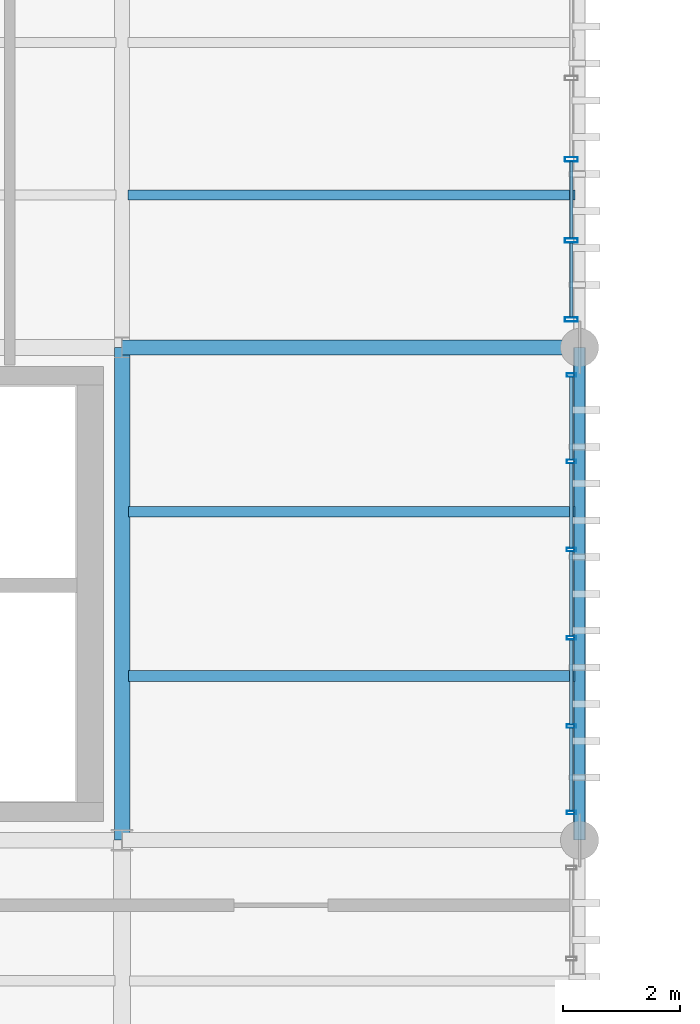
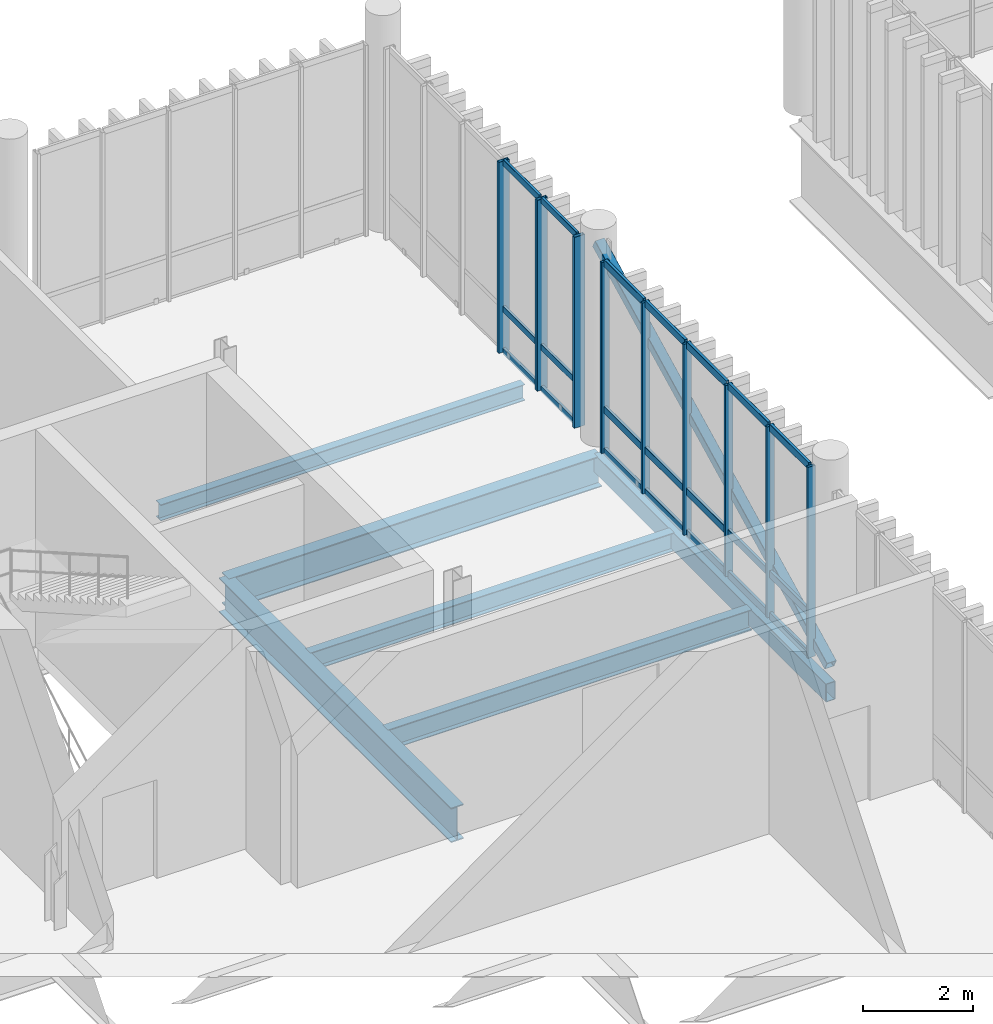
# One storey, part 24 of 86: 31 members, 6 beams, 2 elements without a shape of their own.
"""IFC4 building model written with IfcOpenShell, lengths in metres."""

import ifcopenshell
import ifcopenshell.guid

model = None  # the IFC model being written
_history = None  # IfcOwnerHistory: only IFC2X3 demands one
_inside = {}  # id of a spatial element -> (the spatial element, [elements in it])
_under = {}  # id of a project, library or spatial element -> (it, [spatial elements below it])
_declared = {}  # id of a project -> (the project, [libraries it declares])
_typed = {}  # id of a type object -> (the type object, [elements of that type])
_made_of = {}  # id of a material, layer set ... -> (it, [elements and type objects made of it])


def new_model(schema):
    """Start an empty IFC model of exactly this schema.

    Asked for "IFC4X3", IfcOpenShell would pick the latest addendum, in which some entities
    have other attributes; the version numbers below select the first issue.
    IFC2X3 requires an IfcOwnerHistory on every rooted entity: one is made here for all.
    """
    global model, _history
    if schema == "IFC4X3":
        model = ifcopenshell.file(schema_version=(4, 3, 0, 0))
    else:
        model = ifcopenshell.file(schema=schema)
    _inside.clear()
    _under.clear()
    _declared.clear()
    _typed.clear()
    _made_of.clear()
    _history = None
    if model.schema == "IFC2X3":
        org = make("IfcOrganization", Name="unknown")
        user = make(
            "IfcPersonAndOrganization",
            ThePerson=make("IfcPerson", FamilyName="unknown"),
            TheOrganization=org,
        )
        app = make(
            "IfcApplication",
            ApplicationDeveloper=org,
            Version="unknown",
            ApplicationFullName="unknown",
            ApplicationIdentifier="unknown",
        )
        _history = make(
            "IfcOwnerHistory",
            OwningUser=user,
            OwningApplication=app,
            ChangeAction="ADDED",
            CreationDate=0,
        )
    return model


def make(cls, **values):
    """One entity of the class cls with the attributes given. An attribute that is None is left unset."""
    return model.create_entity(
        cls, **{name: value for name, value in values.items() if value is not None}
    )


def rooted(cls, **values):
    """An entity with a GlobalId (a new one), such as an element, a storey or a relation."""
    return make(cls, GlobalId=ifcopenshell.guid.new(), OwnerHistory=_history, **values)


def si_unit(unit_type, name, prefix=None):
    """IfcSIUnit, for example si_unit("LENGTHUNIT", "METRE", prefix="MILLI")."""
    return make("IfcSIUnit", UnitType=unit_type, Prefix=prefix, Name=name)


def assignment(units):
    """IfcUnitAssignment: the units of a project."""
    return None if units is None else make("IfcUnitAssignment", Units=units)


def point(xyz):
    """IfcCartesianPoint."""
    return None if xyz is None else make("IfcCartesianPoint", Coordinates=xyz)


def direction(xyz):
    """IfcDirection."""
    return None if xyz is None else make("IfcDirection", DirectionRatios=xyz)


def frame(location, z_axis=None, x_axis=None):
    """IfcAxis2Placement3D, a coordinate frame: its origin and axes. An axis left out is left unset."""
    return make(
        "IfcAxis2Placement3D",
        Location=point(location),
        Axis=direction(z_axis),
        RefDirection=direction(x_axis),
    )


def frame_2d(location, x_axis=None):
    """IfcAxis2Placement2D, a coordinate frame in the plane: its origin and x axis."""
    return make(
        "IfcAxis2Placement2D", Location=point(location), RefDirection=direction(x_axis)
    )


def origin_with_axes():
    """The frame at (0, 0, 0) with the z axis (0, 0, 1) and the x axis (1, 0, 0) written out."""
    return frame((0.0, 0.0, 0.0), z_axis=(0.0, 0.0, 1.0), x_axis=(1.0, 0.0, 0.0))


def origin_2d_with_axis():
    """The frame at (0, 0) in the plane with the x axis (1, 0) written out."""
    return frame_2d((0.0, 0.0), x_axis=(1.0, 0.0))


def place(relative_to, where):
    """IfcLocalPlacement: puts the frame where relative to a parent placement (None: the world)."""
    return make(
        "IfcLocalPlacement", PlacementRelTo=relative_to, RelativePlacement=where
    )


def context(
    kind, dimensions, precision=None, world=None, true_north=None, identifier=None
):
    """IfcGeometricRepresentationContext, for example the 3D "Model" context."""
    return make(
        "IfcGeometricRepresentationContext",
        ContextIdentifier=identifier,
        ContextType=kind,
        CoordinateSpaceDimension=dimensions,
        Precision=precision,
        WorldCoordinateSystem=world,
        TrueNorth=true_north,
    )


def subcontext(parent, identifier, kind, view, scale=None):
    """IfcGeometricRepresentationSubContext, for example "Body" below "Model"."""
    return make(
        "IfcGeometricRepresentationSubContext",
        ContextIdentifier=identifier,
        ContextType=kind,
        ParentContext=parent,
        TargetScale=scale,
        TargetView=view,
    )


def project(units=None, contexts=None):
    """IfcProject with its units and contexts."""
    return rooted(
        "IfcProject",
        Name="project",
        RepresentationContexts=contexts,
        UnitsInContext=assignment(units),
    )


def spatial(cls, under=None, at=None, **own):
    """A site, building, storey or space (cls), placed at a placement, below another one or the project."""
    s = rooted(cls, ObjectPlacement=at, **own)
    if under is not None:
        _under.setdefault(under.id(), (under, []))[1].append(s)
    return s


def profile(cls, at=None, kind="AREA", **sizes):
    """A parametric profile (cls). Its sizes go by their IFC names, for example OverallWidth=200.0."""
    return make(cls, ProfileType=kind, Position=at, **sizes)


def hollow_rectangle(**sizes):
    """IfcRectangleHollowProfileDef."""
    return profile("IfcRectangleHollowProfileDef", **sizes)


def i_section(**sizes):
    """IfcIShapeProfileDef."""
    return profile("IfcIShapeProfileDef", **sizes)


def extrude(swept, where, along, depth):
    """IfcExtrudedAreaSolid: the profile swept, set in the frame where, extruded along a direction by depth."""
    return make(
        "IfcExtrudedAreaSolid",
        SweptArea=swept,
        Position=where,
        ExtrudedDirection=direction(along),
        Depth=depth,
    )


def shape(context_of_items, identifier, shape_type, items):
    """IfcShapeRepresentation: the items that make up one representation, for example the "Body"."""
    return make(
        "IfcShapeRepresentation",
        ContextOfItems=context_of_items,
        RepresentationIdentifier=identifier,
        RepresentationType=shape_type,
        Items=items,
    )


def material(Name=None, Category=None):
    """IfcMaterial."""
    return make("IfcMaterial", Name=Name, Category=Category)


def material_profile(
    of_material, cross_section, Name=None, Category=None, Priority=None
):
    """IfcMaterialProfile: a cross section and its material."""
    return make(
        "IfcMaterialProfile",
        Name=Name,
        Material=of_material,
        Profile=cross_section,
        Priority=Priority,
        Category=Category,
    )


def profile_set(profiles, Name=None, composite=None):
    """IfcMaterialProfileSet."""
    return make(
        "IfcMaterialProfileSet",
        Name=Name,
        MaterialProfiles=profiles,
        CompositeProfile=composite,
    )


def made_of(thing, what):
    """Note that an element or type object is made of a material, layer set ...; save() writes the relation."""
    if what is not None:
        _made_of.setdefault(what.id(), (what, []))[1].append(thing)
    return thing


def type_object(cls, material=None, **own):
    """A type object (cls), such as IfcWallType, which elements share."""
    return made_of(rooted(cls, **own), material)


def element(
    cls,
    number,
    at=None,
    inside=None,
    cuts=None,
    type_object=None,
    material=None,
    context=None,
    identifier="Body",
    shape_type=None,
    held_by="IfcProductDefinitionShape",
    body=None,
    shapes=None,
    **own,
):
    """One element of the class cls, such as IfcWall. Its Tag is "e" and its number.

    at: its placement. inside: the storey or other place that contains it. cuts: it is an
    opening in that element (IfcRelVoidsElement). A single representation is given by context,
    identifier, shape_type and body (its items); several are given by shapes. held_by: the class
    of the entity that holds the representations. save() writes the other relations.
    """
    e = rooted(cls, Tag="e%d" % number, ObjectPlacement=at, **own)
    if body is not None:
        shapes = [shape(context, identifier, shape_type, body)]
    if shapes is not None:
        e.Representation = make(held_by, Representations=shapes)
    if inside is not None:
        _inside.setdefault(inside.id(), (inside, []))[1].append(e)
    if cuts is not None:
        rooted(
            "IfcRelVoidsElement", RelatingBuildingElement=cuts, RelatedOpeningElement=e
        )
    if type_object is not None:
        _typed.setdefault(type_object.id(), (type_object, []))[1].append(e)
    return made_of(e, material)


def aggregate(whole, parts):
    """IfcRelAggregates: a whole, such as a stair, and the parts it consists of."""
    return rooted("IfcRelAggregates", RelatingObject=whole, RelatedObjects=parts)


def save(model, path):
    """Write the relations noted so far, then the file.

    IfcRelAggregates (storeys below a building ...), IfcRelContainedInSpatialStructure (elements
    in a storey), IfcRelDefinesByType, IfcRelAssociatesMaterial and IfcRelDeclares: one each for
    every whole, place, type object, material and project.
    """
    for whole, parts in _under.values():
        aggregate(whole, parts)
    for where, things in _inside.values():
        rooted(
            "IfcRelContainedInSpatialStructure",
            RelatedElements=things,
            RelatingStructure=where,
        )
    for kind, things in _typed.values():
        rooted("IfcRelDefinesByType", RelatedObjects=things, RelatingType=kind)
    for what, things in _made_of.values():
        rooted("IfcRelAssociatesMaterial", RelatedObjects=things, RelatingMaterial=what)
    for by, libraries in _declared.values():
        rooted("IfcRelDeclares", RelatingContext=by, RelatedDefinitions=libraries)
    model.write(path)


model = new_model("IFC4")

# Units and contexts
model_context = context("Model", 3, precision=1e-05, world=origin_with_axes(), true_north=direction((0.0, 1.0)))
body_context = subcontext(model_context, "Body", "Model", "MODEL_VIEW")
ifc_project = project(units=[si_unit("LENGTHUNIT", "METRE"), si_unit("AREAUNIT", "SQUARE_METRE"), si_unit("VOLUMEUNIT", "CUBIC_METRE"), si_unit("PLANEANGLEUNIT", "RADIAN"), si_unit("MASSUNIT", "GRAM", prefix="KILO"), si_unit("THERMODYNAMICTEMPERATUREUNIT", "KELVIN")], contexts=[model_context])

# Site, building, storey
site_placement = place(None, origin_with_axes())
site = spatial("IfcSite", under=ifc_project, at=site_placement, CompositionType="ELEMENT")
building_placement = place(site_placement, origin_with_axes())
building = spatial("IfcBuilding", under=site, at=building_placement, Name="Montbau Bow Law Courts", CompositionType="ELEMENT")
storey_placement = place(building_placement, frame((0.0, 0.0, 29.7), z_axis=(0.0, 0.0, 1.0), x_axis=(1.0, 0.0, 0.0)))
storey = spatial("IfcBuildingStorey", under=building, at=storey_placement, Name="L06", CompositionType="ELEMENT", Elevation=29.7)

# Beams
ifc_material_1 = material(Name="Steel CSA G40.21 Grade 350W (350 MPa)", Category="steel")
ifc_material_profile_1 = material_profile(ifc_material_1, i_section(OverallWidth=0.267, OverallDepth=0.766, WebThickness=0.0149, FlangeThickness=0.0236, at=origin_2d_with_axis()), Name="W760X185", Category="Main", Priority=0)
ifc_profile_set_1 = profile_set([ifc_material_profile_1], Name="Steel CSA G40.21 Grade 350W (350 MPa)")
beam_type_1 = type_object("IfcBeamType", Name="B-FLR-03", PredefinedType="BEAM", material=ifc_profile_set_1)
beam_1_placement = place(None, frame((39.0, 46.2, 28.977), z_axis=(0.0, 1.0, 0.0), x_axis=(-1.0, 0.0, 0.0)))
element("IfcBeam", 1, at=beam_1_placement, inside=storey, type_object=beam_type_1, Name="BM-L06-S0707:bm2_0710", PredefinedType="BEAM", context=body_context, shape_type="SweptSolid", body=[
    extrude(i_section(OverallWidth=0.267, OverallDepth=0.766, WebThickness=0.0149, FlangeThickness=0.0236, at=origin_2d_with_axis()), origin_with_axes(), (0.0, 0.0, 1.0), 8.4),
])
ifc_material_profile_2 = material_profile(ifc_material_1, i_section(OverallWidth=0.254, OverallDepth=0.688, WebThickness=0.0131, FlangeThickness=0.0211, at=origin_2d_with_axis()), Name="W690X152", Category="Main", Priority=0)
ifc_profile_set_2 = profile_set([ifc_material_profile_2], Name="Steel CSA G40.21 Grade 350W (350 MPa)")
beam_type_2 = type_object("IfcBeamType", Name="B-FLR-04", PredefinedType="BEAM", material=ifc_profile_set_2)
beam_2_placement = place(None, frame((39.0, 54.6, 29.016), z_axis=(1.0, 0.0, 0.0), x_axis=(0.0, 1.0, 0.0)))
element("IfcBeam", 2, at=beam_2_placement, inside=storey, type_object=beam_type_2, Name="BM-L06-S0685:bm2_0688", PredefinedType="BEAM", context=body_context, shape_type="SweptSolid", body=[
    extrude(i_section(OverallWidth=0.254, OverallDepth=0.688, WebThickness=0.0131, FlangeThickness=0.0211, at=origin_2d_with_axis()), origin_with_axes(), (0.0, 0.0, 1.0), 7.8),
])
ifc_material_profile_3 = material_profile(ifc_material_1, i_section(OverallWidth=0.191, OverallDepth=0.46, WebThickness=0.0099, FlangeThickness=0.016, at=origin_2d_with_axis()), Name="W460X82", Category="Main", Priority=0)
ifc_profile_set_3 = profile_set([ifc_material_profile_3], Name="Steel CSA G40.21 Grade 350W (350 MPa)")
beam_type_3 = type_object("IfcBeamType", Name="B-JST-01", PredefinedType="JOIST", material=ifc_profile_set_3)
beam_3_placement = place(None, frame((39.109, 49.0, 29.13), z_axis=(1.0, 0.0, 0.0), x_axis=(0.0, 1.0, 0.0)))
element("IfcBeam", 3, at=beam_3_placement, inside=storey, type_object=beam_type_3, Name="JST-L06-S0356:jst2_0356", PredefinedType="JOIST", context=body_context, shape_type="SweptSolid", body=[
    extrude(i_section(OverallWidth=0.191, OverallDepth=0.46, WebThickness=0.0099, FlangeThickness=0.016, at=origin_2d_with_axis()), origin_with_axes(), (0.0, 0.0, 1.0), 7.611),
])
ifc_material_profile_4 = material_profile(ifc_material_1, i_section(OverallWidth=0.179, OverallDepth=0.41, WebThickness=0.0088, FlangeThickness=0.0144, at=origin_2d_with_axis()), Name="W410X67", Category="Main", Priority=0)
ifc_profile_set_4 = profile_set([ifc_material_profile_4], Name="Steel CSA G40.21 Grade 350W (350 MPa)")
beam_type_4 = type_object("IfcBeamType", Name="B-JST-02", PredefinedType="JOIST", material=ifc_profile_set_4)
beam_4_placement = place(None, frame((39.109, 51.8, 29.155), z_axis=(1.0, 0.0, 0.0), x_axis=(0.0, 1.0, 0.0)))
element("IfcBeam", 4, at=beam_4_placement, inside=storey, type_object=beam_type_4, Name="JST-L06-S0357:jst2_0357", PredefinedType="JOIST", context=body_context, shape_type="SweptSolid", body=[
    extrude(i_section(OverallWidth=0.179, OverallDepth=0.41, WebThickness=0.0088, FlangeThickness=0.0144, at=origin_2d_with_axis()), origin_with_axes(), (0.0, 0.0, 1.0), 7.611),
])
ifc_material_profile_5 = material_profile(ifc_material_1, i_section(OverallWidth=0.172, OverallDepth=0.358, WebThickness=0.0079, FlangeThickness=0.0131, at=origin_2d_with_axis()), Name="W360X57", Category="Main", Priority=0)
ifc_profile_set_5 = profile_set([ifc_material_profile_5], Name="Steel CSA G40.21 Grade 350W (350 MPa)")
beam_type_5 = type_object("IfcBeamType", Name="B-JST-03", PredefinedType="JOIST", material=ifc_profile_set_5)
beam_5_placement = place(None, frame((39.103, 57.2, 29.181), z_axis=(1.0, 0.0, 0.0), x_axis=(0.0, 1.0, 0.0)))
element("IfcBeam", 5, at=beam_5_placement, inside=storey, type_object=beam_type_5, Name="JST-L06-S0358:jst2_0358", PredefinedType="JOIST", context=body_context, shape_type="SweptSolid", body=[
    extrude(i_section(OverallWidth=0.172, OverallDepth=0.358, WebThickness=0.0079, FlangeThickness=0.0131, at=origin_2d_with_axis()), origin_with_axes(), (0.0, 0.0, 1.0), 7.617),
])
ifc_material_2 = material(Name="Steel CSA G40.21 Grade 350WT (350 MPa)", Category="steel")
ifc_material_profile_6 = material_profile(ifc_material_2, hollow_rectangle(XDim=0.203, YDim=0.406, WallThickness=0.0127, InnerFilletRadius=0.0254, OuterFilletRadius=0.0127, at=origin_2d_with_axis()), Name="HSS406X203X13", Category="Main", Priority=0)
ifc_profile_set_6 = profile_set([ifc_material_profile_6], Name="Steel CSA G40.21 Grade 350WT (350 MPa)")
beam_type_6 = type_object("IfcBeamType", Name="B-SPN-01", PredefinedType="SPANDREL", material=ifc_profile_set_6)
beam_6_placement = place(None, frame((46.8, 46.2, 29.157), z_axis=(0.0, 1.0, 0.0), x_axis=(-1.0, 0.0, 0.0)))
element("IfcBeam", 6, at=beam_6_placement, inside=storey, type_object=beam_type_6, Name="SPN-L06-S0711:bm2_0714", PredefinedType="SPANDREL", context=body_context, shape_type="SweptSolid", body=[
    extrude(hollow_rectangle(XDim=0.203, YDim=0.406, WallThickness=0.0127, InnerFilletRadius=0.0254, OuterFilletRadius=0.0127, at=origin_2d_with_axis()), origin_with_axes(), (0.0, 0.0, 1.0), 8.4),
])

# Member
ifc_material_profile_7 = material_profile(ifc_material_1, hollow_rectangle(XDim=0.203, YDim=0.203, WallThickness=0.0111, InnerFilletRadius=0.0222, OuterFilletRadius=0.0111, at=origin_2d_with_axis()), Name="HSS203X203X11", Category="Main", Priority=0)
ifc_profile_set_7 = profile_set([ifc_material_profile_7], Name="Steel CSA G40.21 Grade 350W (350 MPa)")
member_type_1 = type_object("IfcMemberType", Name="M-BRC-02", PredefinedType="BRACE", material=ifc_profile_set_7)
member_1_placement = place(None, frame((46.8, 46.2, 29.75), z_axis=(0.0, 0.892420948, 0.451203781), x_axis=(-1.0, 0.0, 0.0)))
element("IfcMember", 7, at=member_1_placement, inside=storey, type_object=member_type_1, Name="Diagonal brace CBF-L06-049A", PredefinedType="BRACE", context=body_context, shape_type="SweptSolid", body=[
    extrude(hollow_rectangle(XDim=0.203, YDim=0.203, WallThickness=0.0111, InnerFilletRadius=0.0222, OuterFilletRadius=0.0111, at=origin_2d_with_axis()), origin_with_axes(), (0.0, 0.0, 1.0), 9.412598),
])

# Curtain wall, members
ifc_material_3 = material(Name="Thermally Broken Extruded Aluminium AA 6063-T6", Category="aluminium")
curtain_wall_type = type_object("IfcCurtainWallType", Name="CW-TRC-02", PredefinedType="NOTDEFINED", material=ifc_material_3)
curtain_wall_1_placement = place(None, frame((46.66, 55.04, 29.7), z_axis=(0.0, 0.0, 1.0), x_axis=(1.0, 0.0, 0.0)))
curtain_wall_1 = element("IfcCurtainWall", 8, at=curtain_wall_1_placement, inside=storey, type_object=curtain_wall_type, Name="CW-L06-111:cw_0111", PredefinedType="NOTDEFINED")
ifc_material_profile_8 = material_profile(ifc_material_3, hollow_rectangle(XDim=0.075, YDim=0.22, WallThickness=0.005, InnerFilletRadius=0.01, OuterFilletRadius=0.005, at=origin_2d_with_axis()), Name="CWM-220X75", Category="Main", Priority=0)
ifc_profile_set_8 = profile_set([ifc_material_profile_8], Name="Thermally Broken Extruded Aluminium AA 6063-T6")
member_type_2 = type_object("IfcMemberType", Name="M-MUL-01", PredefinedType="MULLION", material=ifc_profile_set_8)
member_2_placement = place(None, frame((46.66, 55.077, 29.7), z_axis=(0.0, 0.0, 1.0), x_axis=(0.0, 1.0, 0.0)))
member_2 = element("IfcMember", 9, at=member_2_placement, type_object=member_type_2, Name="CW-L06-111-M01:cw_0111_M01", PredefinedType="MULLION", context=body_context, shape_type="SweptSolid", body=[
    extrude(hollow_rectangle(XDim=0.075, YDim=0.22, WallThickness=0.005, InnerFilletRadius=0.01, OuterFilletRadius=0.005, at=origin_2d_with_axis()), origin_with_axes(), (0.0, 0.0, 1.0), 4.22),
])
member_3_placement = place(None, frame((46.66, 56.424, 29.7), z_axis=(0.0, 0.0, 1.0), x_axis=(0.0, 1.0, 0.0)))
member_3 = element("IfcMember", 10, at=member_3_placement, type_object=member_type_2, Name="CW-L06-111-M02:cw_0111_M02", PredefinedType="MULLION", context=body_context, shape_type="SweptSolid", body=[
    extrude(hollow_rectangle(XDim=0.075, YDim=0.22, WallThickness=0.005, InnerFilletRadius=0.01, OuterFilletRadius=0.005, at=origin_2d_with_axis()), origin_with_axes(), (0.0, 0.0, 1.0), 4.22),
])
member_4_placement = place(None, frame((46.66, 57.808, 29.7), z_axis=(0.0, 0.0, 1.0), x_axis=(0.0, 1.0, 0.0)))
member_4 = element("IfcMember", 11, at=member_4_placement, type_object=member_type_2, Name="CW-L06-111-M03:cw_0111_M03", PredefinedType="MULLION", context=body_context, shape_type="SweptSolid", body=[
    extrude(hollow_rectangle(XDim=0.075, YDim=0.22, WallThickness=0.005, InnerFilletRadius=0.01, OuterFilletRadius=0.005, at=origin_2d_with_axis()), origin_with_axes(), (0.0, 0.0, 1.0), 4.22),
])

curtain_wall_2_placement = place(None, frame((46.66, 46.64, 29.7), z_axis=(0.0, 0.0, 1.0), x_axis=(1.0, 0.0, 0.0)))
curtain_wall_2 = element("IfcCurtainWall", 12, at=curtain_wall_2_placement, inside=storey, type_object=curtain_wall_type, Name="CW-L06-110:cw_0110", PredefinedType="NOTDEFINED")
ifc_material_profile_9 = material_profile(ifc_material_3, hollow_rectangle(XDim=0.06, YDim=0.16, WallThickness=0.004, InnerFilletRadius=0.008, OuterFilletRadius=0.004, at=origin_2d_with_axis()), Name="CWM-160X60", Category="Main", Priority=0)
ifc_profile_set_9 = profile_set([ifc_material_profile_9], Name="Thermally Broken Extruded Aluminium AA 6063-T6")
member_type_3 = type_object("IfcMemberType", Name="M-MUL-03", PredefinedType="MULLION", material=ifc_profile_set_9)
member_5_placement = place(None, frame((46.66, 46.67, 29.7), z_axis=(0.0, 0.0, 1.0), x_axis=(0.0, 1.0, 0.0)))
member_5 = element("IfcMember", 13, at=member_5_placement, type_object=member_type_3, Name="CW-L06-110-M01:cw_0110_M01", PredefinedType="MULLION", context=body_context, shape_type="SweptSolid", body=[
    extrude(hollow_rectangle(XDim=0.06, YDim=0.16, WallThickness=0.004, InnerFilletRadius=0.008, OuterFilletRadius=0.004, at=origin_2d_with_axis()), origin_with_axes(), (0.0, 0.0, 1.0), 4.22),
])
member_6_placement = place(None, frame((46.66, 48.144, 29.7), z_axis=(0.0, 0.0, 1.0), x_axis=(0.0, 1.0, 0.0)))
member_6 = element("IfcMember", 14, at=member_6_placement, type_object=member_type_3, Name="CW-L06-110-M02:cw_0110_M02", PredefinedType="MULLION", context=body_context, shape_type="SweptSolid", body=[
    extrude(hollow_rectangle(XDim=0.06, YDim=0.16, WallThickness=0.004, InnerFilletRadius=0.008, OuterFilletRadius=0.004, at=origin_2d_with_axis()), origin_with_axes(), (0.0, 0.0, 1.0), 4.22),
])
member_7_placement = place(None, frame((46.66, 49.648, 29.7), z_axis=(0.0, 0.0, 1.0), x_axis=(0.0, 1.0, 0.0)))
member_7 = element("IfcMember", 15, at=member_7_placement, type_object=member_type_3, Name="CW-L06-110-M03:cw_0110_M03", PredefinedType="MULLION", context=body_context, shape_type="SweptSolid", body=[
    extrude(hollow_rectangle(XDim=0.06, YDim=0.16, WallThickness=0.004, InnerFilletRadius=0.008, OuterFilletRadius=0.004, at=origin_2d_with_axis()), origin_with_axes(), (0.0, 0.0, 1.0), 4.22),
])
member_8_placement = place(None, frame((46.66, 51.152, 29.7), z_axis=(0.0, 0.0, 1.0), x_axis=(0.0, 1.0, 0.0)))
member_8 = element("IfcMember", 16, at=member_8_placement, type_object=member_type_3, Name="CW-L06-110-M04:cw_0110_M04", PredefinedType="MULLION", context=body_context, shape_type="SweptSolid", body=[
    extrude(hollow_rectangle(XDim=0.06, YDim=0.16, WallThickness=0.004, InnerFilletRadius=0.008, OuterFilletRadius=0.004, at=origin_2d_with_axis()), origin_with_axes(), (0.0, 0.0, 1.0), 4.22),
])
member_9_placement = place(None, frame((46.66, 52.656, 29.7), z_axis=(0.0, 0.0, 1.0), x_axis=(0.0, 1.0, 0.0)))
member_9 = element("IfcMember", 17, at=member_9_placement, type_object=member_type_3, Name="CW-L06-110-M05:cw_0110_M05", PredefinedType="MULLION", context=body_context, shape_type="SweptSolid", body=[
    extrude(hollow_rectangle(XDim=0.06, YDim=0.16, WallThickness=0.004, InnerFilletRadius=0.008, OuterFilletRadius=0.004, at=origin_2d_with_axis()), origin_with_axes(), (0.0, 0.0, 1.0), 4.22),
])
member_10_placement = place(None, frame((46.66, 54.13, 29.7), z_axis=(0.0, 0.0, 1.0), x_axis=(0.0, 1.0, 0.0)))
member_10 = element("IfcMember", 18, at=member_10_placement, type_object=member_type_3, Name="CW-L06-110-M06:cw_0110_M06", PredefinedType="MULLION", context=body_context, shape_type="SweptSolid", body=[
    extrude(hollow_rectangle(XDim=0.06, YDim=0.16, WallThickness=0.004, InnerFilletRadius=0.008, OuterFilletRadius=0.004, at=origin_2d_with_axis()), origin_with_axes(), (0.0, 0.0, 1.0), 4.22),
])
ifc_material_profile_10 = material_profile(ifc_material_3, hollow_rectangle(XDim=0.06, YDim=0.16, WallThickness=0.004, InnerFilletRadius=0.008, OuterFilletRadius=0.004, at=origin_2d_with_axis()), Name="CWT-160X60", Category="Main", Priority=0)
ifc_profile_set_10 = profile_set([ifc_material_profile_10], Name="Thermally Broken Extruded Aluminium AA 6063-T6")
member_type_4 = type_object("IfcMemberType", Name="M-TRN-01", PredefinedType="USERDEFINED", material=ifc_profile_set_10)
member_11_placement = place(None, frame((46.66, 46.702, 29.73), z_axis=(0.0, 1.0, 0.0), x_axis=(-1.0, 0.0, 0.0)))
member_11 = element("IfcMember", 19, at=member_11_placement, type_object=member_type_4, Name="CW-L06-110-T01-1:cw_0110_T01_1", ObjectType="TRANSOM", PredefinedType="USERDEFINED", context=body_context, shape_type="SweptSolid", body=[
    extrude(hollow_rectangle(XDim=0.06, YDim=0.16, WallThickness=0.004, InnerFilletRadius=0.008, OuterFilletRadius=0.004, at=origin_2d_with_axis()), origin_with_axes(), (0.0, 0.0, 1.0), 1.41),
])
member_12_placement = place(None, frame((46.66, 46.702, 30.65), z_axis=(0.0, 1.0, 0.0), x_axis=(-1.0, 0.0, 0.0)))
member_12 = element("IfcMember", 20, at=member_12_placement, type_object=member_type_4, Name="CW-L06-110-T01-2:cw_0110_T01_2", ObjectType="TRANSOM", PredefinedType="USERDEFINED", context=body_context, shape_type="SweptSolid", body=[
    extrude(hollow_rectangle(XDim=0.06, YDim=0.16, WallThickness=0.004, InnerFilletRadius=0.008, OuterFilletRadius=0.004, at=origin_2d_with_axis()), origin_with_axes(), (0.0, 0.0, 1.0), 1.41),
])
member_13_placement = place(None, frame((46.66, 46.702, 33.89), z_axis=(0.0, 1.0, 0.0), x_axis=(-1.0, 0.0, 0.0)))
member_13 = element("IfcMember", 21, at=member_13_placement, type_object=member_type_4, Name="CW-L06-110-T01-3:cw_0110_T01_3", ObjectType="TRANSOM", PredefinedType="USERDEFINED", context=body_context, shape_type="SweptSolid", body=[
    extrude(hollow_rectangle(XDim=0.06, YDim=0.16, WallThickness=0.004, InnerFilletRadius=0.008, OuterFilletRadius=0.004, at=origin_2d_with_axis()), origin_with_axes(), (0.0, 0.0, 1.0), 1.41),
])
member_14_placement = place(None, frame((46.66, 48.176, 29.73), z_axis=(0.0, 1.0, 0.0), x_axis=(-1.0, 0.0, 0.0)))
member_14 = element("IfcMember", 22, at=member_14_placement, type_object=member_type_4, Name="CW-L06-110-T02-1:cw_0110_T02_1", ObjectType="TRANSOM", PredefinedType="USERDEFINED", context=body_context, shape_type="SweptSolid", body=[
    extrude(hollow_rectangle(XDim=0.06, YDim=0.16, WallThickness=0.004, InnerFilletRadius=0.008, OuterFilletRadius=0.004, at=origin_2d_with_axis()), origin_with_axes(), (0.0, 0.0, 1.0), 1.44),
])
member_15_placement = place(None, frame((46.66, 48.176, 30.65), z_axis=(0.0, 1.0, 0.0), x_axis=(-1.0, 0.0, 0.0)))
member_15 = element("IfcMember", 23, at=member_15_placement, type_object=member_type_4, Name="CW-L06-110-T02-2:cw_0110_T02_2", ObjectType="TRANSOM", PredefinedType="USERDEFINED", context=body_context, shape_type="SweptSolid", body=[
    extrude(hollow_rectangle(XDim=0.06, YDim=0.16, WallThickness=0.004, InnerFilletRadius=0.008, OuterFilletRadius=0.004, at=origin_2d_with_axis()), origin_with_axes(), (0.0, 0.0, 1.0), 1.44),
])
member_16_placement = place(None, frame((46.66, 48.176, 33.89), z_axis=(0.0, 1.0, 0.0), x_axis=(-1.0, 0.0, 0.0)))
member_16 = element("IfcMember", 24, at=member_16_placement, type_object=member_type_4, Name="CW-L06-110-T02-3:cw_0110_T02_3", ObjectType="TRANSOM", PredefinedType="USERDEFINED", context=body_context, shape_type="SweptSolid", body=[
    extrude(hollow_rectangle(XDim=0.06, YDim=0.16, WallThickness=0.004, InnerFilletRadius=0.008, OuterFilletRadius=0.004, at=origin_2d_with_axis()), origin_with_axes(), (0.0, 0.0, 1.0), 1.44),
])
member_17_placement = place(None, frame((46.66, 49.68, 29.73), z_axis=(0.0, 1.0, 0.0), x_axis=(-1.0, 0.0, 0.0)))
member_17 = element("IfcMember", 25, at=member_17_placement, type_object=member_type_4, Name="CW-L06-110-T03-1:cw_0110_T03_1", ObjectType="TRANSOM", PredefinedType="USERDEFINED", context=body_context, shape_type="SweptSolid", body=[
    extrude(hollow_rectangle(XDim=0.06, YDim=0.16, WallThickness=0.004, InnerFilletRadius=0.008, OuterFilletRadius=0.004, at=origin_2d_with_axis()), origin_with_axes(), (0.0, 0.0, 1.0), 1.44),
])
member_18_placement = place(None, frame((46.66, 49.68, 30.65), z_axis=(0.0, 1.0, 0.0), x_axis=(-1.0, 0.0, 0.0)))
member_18 = element("IfcMember", 26, at=member_18_placement, type_object=member_type_4, Name="CW-L06-110-T03-2:cw_0110_T03_2", ObjectType="TRANSOM", PredefinedType="USERDEFINED", context=body_context, shape_type="SweptSolid", body=[
    extrude(hollow_rectangle(XDim=0.06, YDim=0.16, WallThickness=0.004, InnerFilletRadius=0.008, OuterFilletRadius=0.004, at=origin_2d_with_axis()), origin_with_axes(), (0.0, 0.0, 1.0), 1.44),
])
member_19_placement = place(None, frame((46.66, 49.68, 33.89), z_axis=(0.0, 1.0, 0.0), x_axis=(-1.0, 0.0, 0.0)))
member_19 = element("IfcMember", 27, at=member_19_placement, type_object=member_type_4, Name="CW-L06-110-T03-3:cw_0110_T03_3", ObjectType="TRANSOM", PredefinedType="USERDEFINED", context=body_context, shape_type="SweptSolid", body=[
    extrude(hollow_rectangle(XDim=0.06, YDim=0.16, WallThickness=0.004, InnerFilletRadius=0.008, OuterFilletRadius=0.004, at=origin_2d_with_axis()), origin_with_axes(), (0.0, 0.0, 1.0), 1.44),
])
member_20_placement = place(None, frame((46.66, 51.184, 29.73), z_axis=(0.0, 1.0, 0.0), x_axis=(-1.0, 0.0, 0.0)))
member_20 = element("IfcMember", 28, at=member_20_placement, type_object=member_type_4, Name="CW-L06-110-T04-1:cw_0110_T04_1", ObjectType="TRANSOM", PredefinedType="USERDEFINED", context=body_context, shape_type="SweptSolid", body=[
    extrude(hollow_rectangle(XDim=0.06, YDim=0.16, WallThickness=0.004, InnerFilletRadius=0.008, OuterFilletRadius=0.004, at=origin_2d_with_axis()), origin_with_axes(), (0.0, 0.0, 1.0), 1.44),
])
member_21_placement = place(None, frame((46.66, 51.184, 30.65), z_axis=(0.0, 1.0, 0.0), x_axis=(-1.0, 0.0, 0.0)))
member_21 = element("IfcMember", 29, at=member_21_placement, type_object=member_type_4, Name="CW-L06-110-T04-2:cw_0110_T04_2", ObjectType="TRANSOM", PredefinedType="USERDEFINED", context=body_context, shape_type="SweptSolid", body=[
    extrude(hollow_rectangle(XDim=0.06, YDim=0.16, WallThickness=0.004, InnerFilletRadius=0.008, OuterFilletRadius=0.004, at=origin_2d_with_axis()), origin_with_axes(), (0.0, 0.0, 1.0), 1.44),
])
member_22_placement = place(None, frame((46.66, 51.184, 33.89), z_axis=(0.0, 1.0, 0.0), x_axis=(-1.0, 0.0, 0.0)))
member_22 = element("IfcMember", 30, at=member_22_placement, type_object=member_type_4, Name="CW-L06-110-T04-3:cw_0110_T04_3", ObjectType="TRANSOM", PredefinedType="USERDEFINED", context=body_context, shape_type="SweptSolid", body=[
    extrude(hollow_rectangle(XDim=0.06, YDim=0.16, WallThickness=0.004, InnerFilletRadius=0.008, OuterFilletRadius=0.004, at=origin_2d_with_axis()), origin_with_axes(), (0.0, 0.0, 1.0), 1.44),
])
member_23_placement = place(None, frame((46.66, 52.688, 29.73), z_axis=(0.0, 1.0, 0.0), x_axis=(-1.0, 0.0, 0.0)))
member_23 = element("IfcMember", 31, at=member_23_placement, type_object=member_type_4, Name="CW-L06-110-T05-1:cw_0110_T05_1", ObjectType="TRANSOM", PredefinedType="USERDEFINED", context=body_context, shape_type="SweptSolid", body=[
    extrude(hollow_rectangle(XDim=0.06, YDim=0.16, WallThickness=0.004, InnerFilletRadius=0.008, OuterFilletRadius=0.004, at=origin_2d_with_axis()), origin_with_axes(), (0.0, 0.0, 1.0), 1.41),
])
member_24_placement = place(None, frame((46.66, 52.688, 30.65), z_axis=(0.0, 1.0, 0.0), x_axis=(-1.0, 0.0, 0.0)))
member_24 = element("IfcMember", 32, at=member_24_placement, type_object=member_type_4, Name="CW-L06-110-T05-2:cw_0110_T05_2", ObjectType="TRANSOM", PredefinedType="USERDEFINED", context=body_context, shape_type="SweptSolid", body=[
    extrude(hollow_rectangle(XDim=0.06, YDim=0.16, WallThickness=0.004, InnerFilletRadius=0.008, OuterFilletRadius=0.004, at=origin_2d_with_axis()), origin_with_axes(), (0.0, 0.0, 1.0), 1.41),
])
member_25_placement = place(None, frame((46.66, 52.688, 33.89), z_axis=(0.0, 1.0, 0.0), x_axis=(-1.0, 0.0, 0.0)))
member_25 = element("IfcMember", 33, at=member_25_placement, type_object=member_type_4, Name="CW-L06-110-T05-3:cw_0110_T05_3", ObjectType="TRANSOM", PredefinedType="USERDEFINED", context=body_context, shape_type="SweptSolid", body=[
    extrude(hollow_rectangle(XDim=0.06, YDim=0.16, WallThickness=0.004, InnerFilletRadius=0.008, OuterFilletRadius=0.004, at=origin_2d_with_axis()), origin_with_axes(), (0.0, 0.0, 1.0), 1.41),
])
aggregate(curtain_wall_2, [member_5, member_6, member_7, member_8, member_9, member_10, member_11, member_12, member_13, member_14, member_15, member_16, member_17, member_18, member_19, member_20, member_21, member_22, member_23, member_24, member_25])

# Member
ifc_material_profile_11 = material_profile(ifc_material_3, hollow_rectangle(XDim=0.055, YDim=0.14, WallThickness=0.004, InnerFilletRadius=0.008, OuterFilletRadius=0.004, at=origin_2d_with_axis()), Name="CWT-140X55", Category="Main", Priority=0)
ifc_profile_set_11 = profile_set([ifc_material_profile_11], Name="Thermally Broken Extruded Aluminium AA 6063-T6")
member_type_5 = type_object("IfcMemberType", Name="M-TRN-02", PredefinedType="USERDEFINED", material=ifc_profile_set_11)
member_26_placement = place(None, frame((46.66, 55.116, 29.727), z_axis=(0.0, 1.0, 0.0), x_axis=(-1.0, 0.0, 0.0)))
member_26 = element("IfcMember", 34, at=member_26_placement, type_object=member_type_5, Name="CW-L06-111-T01-1:cw_0111_T01_1", ObjectType="TRANSOM", PredefinedType="USERDEFINED", context=body_context, shape_type="SweptSolid", body=[
    extrude(hollow_rectangle(XDim=0.055, YDim=0.14, WallThickness=0.004, InnerFilletRadius=0.008, OuterFilletRadius=0.004, at=origin_2d_with_axis()), origin_with_axes(), (0.0, 0.0, 1.0), 1.268),
])

member_27_placement = place(None, frame((46.66, 55.116, 30.65), z_axis=(0.0, 1.0, 0.0), x_axis=(-1.0, 0.0, 0.0)))
member_27 = element("IfcMember", 35, at=member_27_placement, type_object=member_type_5, Name="CW-L06-111-T01-2:cw_0111_T01_2", ObjectType="TRANSOM", PredefinedType="USERDEFINED", context=body_context, shape_type="SweptSolid", body=[
    extrude(hollow_rectangle(XDim=0.055, YDim=0.14, WallThickness=0.004, InnerFilletRadius=0.008, OuterFilletRadius=0.004, at=origin_2d_with_axis()), origin_with_axes(), (0.0, 0.0, 1.0), 1.268),
])

member_28_placement = place(None, frame((46.66, 55.116, 33.892), z_axis=(0.0, 1.0, 0.0), x_axis=(-1.0, 0.0, 0.0)))
member_28 = element("IfcMember", 36, at=member_28_placement, type_object=member_type_5, Name="CW-L06-111-T01-3:cw_0111_T01_3", ObjectType="TRANSOM", PredefinedType="USERDEFINED", context=body_context, shape_type="SweptSolid", body=[
    extrude(hollow_rectangle(XDim=0.055, YDim=0.14, WallThickness=0.004, InnerFilletRadius=0.008, OuterFilletRadius=0.004, at=origin_2d_with_axis()), origin_with_axes(), (0.0, 0.0, 1.0), 1.268),
])

member_29_placement = place(None, frame((46.66, 56.463, 29.727), z_axis=(0.0, 1.0, 0.0), x_axis=(-1.0, 0.0, 0.0)))
member_29 = element("IfcMember", 37, at=member_29_placement, type_object=member_type_5, Name="CW-L06-111-T02-1:cw_0111_T02_1", ObjectType="TRANSOM", PredefinedType="USERDEFINED", context=body_context, shape_type="SweptSolid", body=[
    extrude(hollow_rectangle(XDim=0.055, YDim=0.14, WallThickness=0.004, InnerFilletRadius=0.008, OuterFilletRadius=0.004, at=origin_2d_with_axis()), origin_with_axes(), (0.0, 0.0, 1.0), 1.305),
])

member_30_placement = place(None, frame((46.66, 56.463, 30.65), z_axis=(0.0, 1.0, 0.0), x_axis=(-1.0, 0.0, 0.0)))
member_30 = element("IfcMember", 38, at=member_30_placement, type_object=member_type_5, Name="CW-L06-111-T02-2:cw_0111_T02_2", ObjectType="TRANSOM", PredefinedType="USERDEFINED", context=body_context, shape_type="SweptSolid", body=[
    extrude(hollow_rectangle(XDim=0.055, YDim=0.14, WallThickness=0.004, InnerFilletRadius=0.008, OuterFilletRadius=0.004, at=origin_2d_with_axis()), origin_with_axes(), (0.0, 0.0, 1.0), 1.305),
])

member_31_placement = place(None, frame((46.66, 56.463, 33.892), z_axis=(0.0, 1.0, 0.0), x_axis=(-1.0, 0.0, 0.0)))
member_31 = element("IfcMember", 39, at=member_31_placement, type_object=member_type_5, Name="CW-L06-111-T02-3:cw_0111_T02_3", ObjectType="TRANSOM", PredefinedType="USERDEFINED", context=body_context, shape_type="SweptSolid", body=[
    extrude(hollow_rectangle(XDim=0.055, YDim=0.14, WallThickness=0.004, InnerFilletRadius=0.008, OuterFilletRadius=0.004, at=origin_2d_with_axis()), origin_with_axes(), (0.0, 0.0, 1.0), 1.305),
])

aggregate(curtain_wall_1, [member_2, member_3, member_4, member_26, member_27, member_28, member_29, member_30, member_31])

save(model, "model.ifc")
